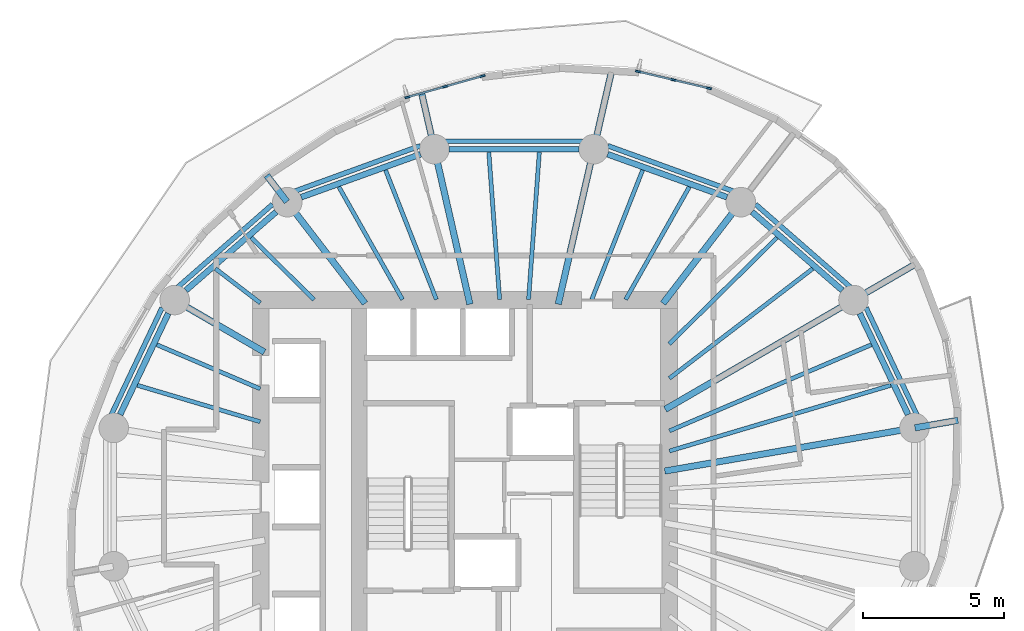
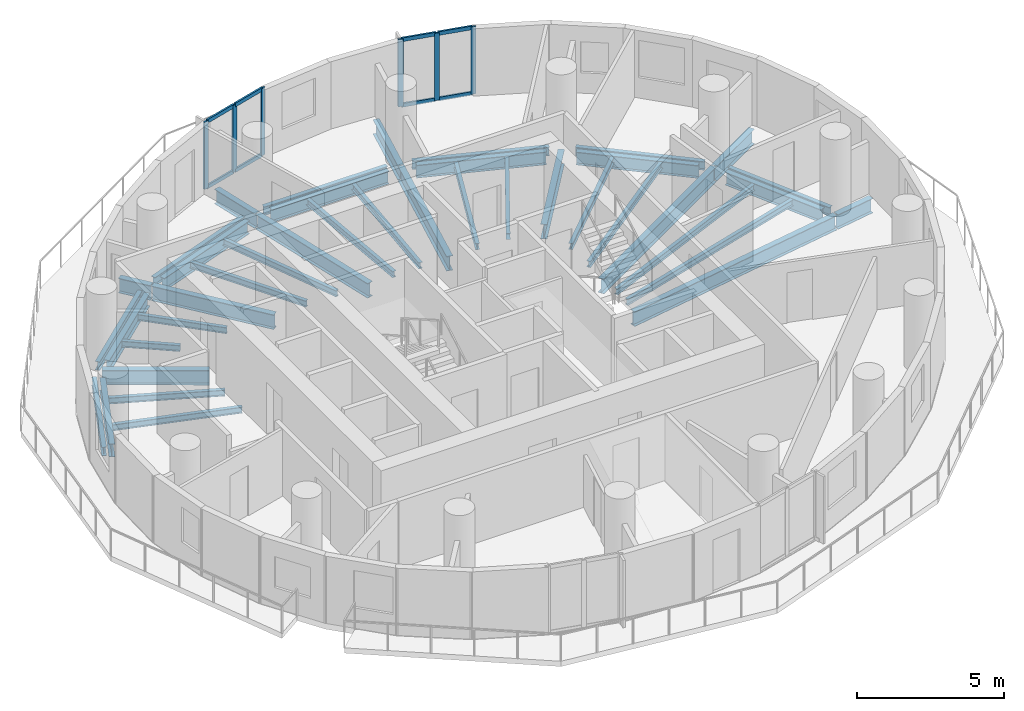
# One storey, part 3 of 13: 40 beams, 14 members, 2 elements without a shape of their own.
"""IFC4 building model written with IfcOpenShell, lengths in metres."""

from ifc_helpers import new_model, si_unit, direction, frame, origin, origin_2d, place, context, subcontext, project, spatial, rectangle, i_section, extrude, material, material_profile, profile_set, type_object, element, aggregate, save


model = new_model("IFC4")

# Units and contexts
model_context = context("Model", 3, precision=1e-05, world=origin(), true_north=direction((0.0, 1.0)))
body_context = subcontext(model_context, "Body", "Model", "MODEL_VIEW")
ifc_project = project(units=[si_unit("LENGTHUNIT", "METRE"), si_unit("AREAUNIT", "SQUARE_METRE"), si_unit("VOLUMEUNIT", "CUBIC_METRE"), si_unit("PLANEANGLEUNIT", "RADIAN"), si_unit("MASSUNIT", "GRAM", prefix="KILO")], contexts=[model_context])

# Site, building, storey
site_placement = place(None, origin())
site = spatial("IfcSite", under=ifc_project, at=site_placement, CompositionType="ELEMENT")
building_placement = place(site_placement, origin())
building = spatial("IfcBuilding", under=site, at=building_placement, Name="Veldorim Arch Residences", CompositionType="ELEMENT")
storey_placement = place(building_placement, frame((0.0, 0.0, 155.360107421875)))
storey = spatial("IfcBuildingStorey", under=building, at=storey_placement, Name="L46", CompositionType="ELEMENT", Elevation=155.360107421875)

# Beams
ifc_material_1 = material(Name="Steel S355", Category="steel")
ifc_material_profile_1 = material_profile(ifc_material_1, i_section(OverallWidth=0.2099609375, OverallDepth=0.53662109375, WebThickness=0.0107421875, FlangeThickness=0.017333984375, at=origin_2d()), Name="UB533x210x101")
ifc_profile_set_1 = profile_set([ifc_material_profile_1], Name="Steel S355")
beam_type_1 = type_object("IfcBeamType", Name="Structural Steel Beam UB533x210x101", PredefinedType="BEAM", material=ifc_profile_set_1)
beam_1_placement = place(storey_placement, frame((45.99560546875, 26.931884765625, -0.50830078125), z_axis=(-0.43028577851, 0.902692721147, 0.0), x_axis=(-0.902692721147, -0.43028577851, 0.0)))
element("IfcBeam", 1, at=beam_1_placement, inside=storey, type_object=beam_type_1, Name="L46 perimeter ring tie beam 01", PredefinedType="BEAM", context=body_context, shape_type="SweptSolid", body=[
    extrude(i_section(OverallWidth=0.2099609375, OverallDepth=0.53662109375, WebThickness=0.0107421875, FlangeThickness=0.017333984375, at=origin_2d()), origin(), (0.0, 0.0, 1.0), 3.98193359375),
])
beam_2_placement = place(storey_placement, frame((43.659912109375, 31.344482421875, -0.50830078125), z_axis=(-0.754810789581, 0.655942582802, 0.0), x_axis=(-0.655942582802, -0.754810789581, 0.0)))
element("IfcBeam", 2, at=beam_2_placement, inside=storey, type_object=beam_type_1, Name="L46 perimeter ring tie beam 02", PredefinedType="BEAM", context=body_context, shape_type="SweptSolid", body=[
    extrude(i_section(OverallWidth=0.2099609375, OverallDepth=0.53662109375, WebThickness=0.0107421875, FlangeThickness=0.017333984375, at=origin_2d()), origin(), (0.0, 0.0, 1.0), 4.249755859375),
])
beam_3_placement = place(storey_placement, frame((39.561767578125, 34.654296875, -0.50830078125), z_axis=(-0.940899155006, 0.338686846673, 0.0), x_axis=(-0.338686846673, -0.940899155006, 0.0)))
element("IfcBeam", 3, at=beam_3_placement, inside=storey, type_object=beam_type_1, Name="L46 perimeter ring tie beam 03", PredefinedType="BEAM", context=body_context, shape_type="SweptSolid", body=[
    extrude(i_section(OverallWidth=0.2099609375, OverallDepth=0.53662109375, WebThickness=0.0107421875, FlangeThickness=0.017333984375, at=origin_2d()), origin(), (0.0, 0.0, 1.0), 4.50537109375),
])
beam_4_placement = place(storey_placement, frame((34.3037109375, 36.35791015625, -0.50830078125), z_axis=(-1.0, 0.0, 0.0), x_axis=(0.0, -1.0, 0.0)))
element("IfcBeam", 4, at=beam_4_placement, inside=storey, type_object=beam_type_1, Name="L46 perimeter ring tie beam 04", PredefinedType="BEAM", context=body_context, shape_type="SweptSolid", body=[
    extrude(i_section(OverallWidth=0.2099609375, OverallDepth=0.53662109375, WebThickness=0.0107421875, FlangeThickness=0.017333984375, at=origin_2d()), origin(), (0.0, 0.0, 1.0), 4.607421875),
])
beam_5_placement = place(storey_placement, frame((28.67724609375, 36.18017578125, -0.50830078125), z_axis=(-0.940899155006, -0.338686846673, 0.0), x_axis=(0.338686846673, -0.940899155006, 0.0)))
element("IfcBeam", 5, at=beam_5_placement, inside=storey, type_object=beam_type_1, Name="L46 perimeter ring tie beam 05", PredefinedType="BEAM", context=body_context, shape_type="SweptSolid", body=[
    extrude(i_section(OverallWidth=0.2099609375, OverallDepth=0.53662109375, WebThickness=0.0107421875, FlangeThickness=0.017333984375, at=origin_2d()), origin(), (0.0, 0.0, 1.0), 4.50537109375),
])
beam_6_placement = place(storey_placement, frame((23.5478515625, 34.132080078125, -0.50830078125), z_axis=(-0.754810789581, -0.655942582802, 0.0), x_axis=(0.655942582802, -0.754810789581, 0.0)))
element("IfcBeam", 6, at=beam_6_placement, inside=storey, type_object=beam_type_1, Name="L46 perimeter ring tie beam 06", PredefinedType="BEAM", context=body_context, shape_type="SweptSolid", body=[
    extrude(i_section(OverallWidth=0.2099609375, OverallDepth=0.53662109375, WebThickness=0.0107421875, FlangeThickness=0.017333984375, at=origin_2d()), origin(), (0.0, 0.0, 1.0), 4.249755859375),
])
beam_7_placement = place(storey_placement, frame((19.7177734375, 30.5263671875, -0.50830078125), z_axis=(-0.43028577851, -0.902692721147, 0.0), x_axis=(0.902692721147, -0.43028577851, 0.0)))
element("IfcBeam", 7, at=beam_7_placement, inside=storey, type_object=beam_type_1, Name="L46 perimeter ring tie beam 07", PredefinedType="BEAM", context=body_context, shape_type="SweptSolid", body=[
    extrude(i_section(OverallWidth=0.2099609375, OverallDepth=0.53662109375, WebThickness=0.0107421875, FlangeThickness=0.017333984375, at=origin_2d()), origin(), (0.0, 0.0, 1.0), 3.98193359375),
])
ifc_material_2 = material(Name="Steel S355", Category="steel")
ifc_material_profile_2 = material_profile(ifc_material_2, i_section(OverallWidth=0.22900390625, OverallDepth=0.6123046875, WebThickness=0.011962890625, FlangeThickness=0.01953125, at=origin_2d()), Name="UB610x229x125")
ifc_profile_set_2 = profile_set([ifc_material_profile_2], Name="Steel S355")
beam_type_2 = type_object("IfcBeamType", Name="Structural Steel Beam UB610x229x125", PredefinedType="BEAM", material=ifc_profile_set_2)
beam_8_placement = place(storey_placement, frame((37.352294921875, 24.925048828125, -0.546142578125), z_axis=(0.985389398766, 0.170316566427, 0.0), x_axis=(-0.170316566427, 0.985389398766, 0.0)))
element("IfcBeam", 8, at=beam_8_placement, inside=storey, type_object=beam_type_2, Name="L46 radial floor girder 01", PredefinedType="BEAM", context=body_context, shape_type="SweptSolid", body=[
    extrude(i_section(OverallWidth=0.22900390625, OverallDepth=0.6123046875, WebThickness=0.011962890625, FlangeThickness=0.01953125, at=origin_2d()), origin(), (0.0, 0.0, 1.0), 8.98046875),
])
beam_9_placement = place(storey_placement, frame((46.2412109375, 26.46142578125, -0.546142578125), z_axis=(0.985381977132, 0.170359499715, 0.0), x_axis=(-0.170359499715, 0.985381977132, 0.0)))
element("IfcBeam", 9, at=beam_9_placement, inside=storey, type_object=beam_type_2, Name="L46 radial edge cantilever girder 01", PredefinedType="BEAM", context=body_context, shape_type="SweptSolid", body=[
    extrude(i_section(OverallWidth=0.22900390625, OverallDepth=0.6123046875, WebThickness=0.011962890625, FlangeThickness=0.01953125, at=origin_2d()), origin(), (0.0, 0.0, 1.0), 1.553466796875),
])
beam_10_placement = place(storey_placement, frame((37.370361328125, 27.1181640625, -0.546142578125), z_axis=(0.864793381443, 0.502127879542, 0.0), x_axis=(-0.502127879542, 0.864793381443, 0.0)))
element("IfcBeam", 10, at=beam_10_placement, inside=storey, type_object=beam_type_2, Name="L46 radial floor girder 02", PredefinedType="BEAM", context=body_context, shape_type="SweptSolid", body=[
    extrude(i_section(OverallWidth=0.22900390625, OverallDepth=0.6123046875, WebThickness=0.011962890625, FlangeThickness=0.01953125, at=origin_2d()), origin(), (0.0, 0.0, 1.0), 7.71142578125),
])
beam_11_placement = place(storey_placement, frame((44.073486328125, 31.01025390625, -0.546142578125), z_axis=(0.86478894661, 0.502135517387, 0.0), x_axis=(-0.502135517387, 0.86478894661, 0.0)))
element("IfcBeam", 11, at=beam_11_placement, inside=storey, type_object=beam_type_2, Name="L46 radial edge cantilever girder 02", PredefinedType="BEAM", context=body_context, shape_type="SweptSolid", body=[
    extrude(i_section(OverallWidth=0.22900390625, OverallDepth=0.6123046875, WebThickness=0.011962890625, FlangeThickness=0.01953125, at=origin_2d()), origin(), (0.0, 0.0, 1.0), 2.564208984375),
])
beam_12_placement = place(storey_placement, frame((37.291259765625, 30.881103515625, -0.546142578125), z_axis=(0.609559199361, 0.792740551804, 0.0), x_axis=(-0.792740551804, 0.609559199361, 0.0)))
element("IfcBeam", 12, at=beam_12_placement, inside=storey, type_object=beam_type_2, Name="L46 radial floor girder 03", PredefinedType="BEAM", context=body_context, shape_type="SweptSolid", body=[
    extrude(i_section(OverallWidth=0.22900390625, OverallDepth=0.6123046875, WebThickness=0.011962890625, FlangeThickness=0.01953125, at=origin_2d()), origin(), (0.0, 0.0, 1.0), 4.515380859375),
])
beam_13_placement = place(storey_placement, frame((33.56884765625, 30.853759765625, -0.546142578125), z_axis=(0.223119342184, 0.974791136164, 0.0), x_axis=(-0.974791136164, 0.223119342184, 0.0)))
element("IfcBeam", 13, at=beam_13_placement, inside=storey, type_object=beam_type_2, Name="L46 radial floor girder 04", PredefinedType="BEAM", context=body_context, shape_type="SweptSolid", body=[
    extrude(i_section(OverallWidth=0.22900390625, OverallDepth=0.6123046875, WebThickness=0.011962890625, FlangeThickness=0.01953125, at=origin_2d()), origin(), (0.0, 0.0, 1.0), 5.62646484375),
])
beam_14_placement = place(storey_placement, frame((34.833251953125, 36.37744140625, -0.546142578125), z_axis=(0.223165160946, 0.974780647602, 0.0), x_axis=(-0.974780647602, 0.223165160946, 0.0)))
element("IfcBeam", 14, at=beam_14_placement, inside=storey, type_object=beam_type_2, Name="L46 radial edge cantilever girder 04", PredefinedType="BEAM", context=body_context, shape_type="SweptSolid", body=[
    extrude(i_section(OverallWidth=0.22900390625, OverallDepth=0.6123046875, WebThickness=0.011962890625, FlangeThickness=0.01953125, at=origin_2d()), origin(), (0.0, 0.0, 1.0), 2.863037109375),
])
beam_15_placement = place(storey_placement, frame((30.43115234375, 30.853759765625, -0.546142578125), z_axis=(-0.223119342184, 0.974791136164, 0.0), x_axis=(-0.974791136164, -0.223119342184, 0.0)))
element("IfcBeam", 15, at=beam_15_placement, inside=storey, type_object=beam_type_2, Name="L46 radial floor girder 05", PredefinedType="BEAM", context=body_context, shape_type="SweptSolid", body=[
    extrude(i_section(OverallWidth=0.22900390625, OverallDepth=0.6123046875, WebThickness=0.011962890625, FlangeThickness=0.01953125, at=origin_2d()), origin(), (0.0, 0.0, 1.0), 5.62646484375),
])
beam_16_placement = place(storey_placement, frame((29.166748046875, 36.37744140625, -0.546142578125), z_axis=(-0.223121447398, 0.9747906543, 0.0), x_axis=(-0.9747906543, -0.223121447398, 0.0)))
element("IfcBeam", 16, at=beam_16_placement, inside=storey, type_object=beam_type_2, Name="L46 radial edge cantilever girder 05", PredefinedType="BEAM", context=body_context, shape_type="SweptSolid", body=[
    extrude(i_section(OverallWidth=0.22900390625, OverallDepth=0.6123046875, WebThickness=0.011962890625, FlangeThickness=0.01953125, at=origin_2d()), origin(), (0.0, 0.0, 1.0), 2.01123046875),
])
beam_17_placement = place(storey_placement, frame((26.708740234375, 30.881103515625, -0.546142578125), z_axis=(-0.609559199361, 0.792740551804, 0.0), x_axis=(-0.792740551804, -0.609559199361, 0.0)))
element("IfcBeam", 17, at=beam_17_placement, inside=storey, type_object=beam_type_2, Name="L46 radial floor girder 06", PredefinedType="BEAM", context=body_context, shape_type="SweptSolid", body=[
    extrude(i_section(OverallWidth=0.22900390625, OverallDepth=0.6123046875, WebThickness=0.011962890625, FlangeThickness=0.01953125, at=origin_2d()), origin(), (0.0, 0.0, 1.0), 4.515380859375),
])
beam_18_placement = place(storey_placement, frame((23.931884765625, 34.492431640625, -0.546142578125), z_axis=(-0.609460700879, 0.792816280158, 0.0), x_axis=(-0.792816280158, -0.609460700879, 0.0)))
element("IfcBeam", 18, at=beam_18_placement, inside=storey, type_object=beam_type_2, Name="L46 radial edge cantilever girder 06", PredefinedType="BEAM", context=body_context, shape_type="SweptSolid", body=[
    extrude(i_section(OverallWidth=0.22900390625, OverallDepth=0.6123046875, WebThickness=0.011962890625, FlangeThickness=0.01953125, at=origin_2d()), origin(), (0.0, 0.0, 1.0), 1.1796875),
])
beam_19_placement = place(storey_placement, frame((23.129638671875, 29.150390625, -0.546142578125), z_axis=(-0.864794546612, 0.502125872815, 0.0), x_axis=(-0.502125872815, -0.864794546612, 0.0)))
element("IfcBeam", 19, at=beam_19_placement, inside=storey, type_object=beam_type_2, Name="L46 radial floor girder 07", PredefinedType="BEAM", context=body_context, shape_type="SweptSolid", body=[
    extrude(i_section(OverallWidth=0.22900390625, OverallDepth=0.6123046875, WebThickness=0.011962890625, FlangeThickness=0.01953125, at=origin_2d()), origin(), (0.0, 0.0, 1.0), 3.6640625),
])
ifc_material_3 = material(Name="Steel S355", Category="steel")
ifc_material_profile_3 = material_profile(ifc_material_3, i_section(OverallWidth=0.146484375, OverallDepth=0.256103515625, WebThickness=0.00634765625, FlangeThickness=0.010986328125, at=origin_2d()), Name="UB254x146x37")
ifc_profile_set_3 = profile_set([ifc_material_profile_3], Name="Steel S355")
beam_type_3 = type_object("IfcBeamType", Name="Structural Steel Joist UB254x146x37", PredefinedType="JOIST", material=ifc_profile_set_3)
beam_20_placement = place(storey_placement, frame((37.519287109375, 25.63818359375, -0.3681640625), z_axis=(0.958674276305, 0.284505943614, 0.0), x_axis=(-0.284505943614, 0.958674276305, 0.0)))
element("IfcBeam", 20, at=beam_20_placement, inside=storey, type_object=beam_type_3, Name="L46 secondary radial floor joist 01-1", PredefinedType="JOIST", context=body_context, shape_type="SweptSolid", body=[
    extrude(i_section(OverallWidth=0.146484375, OverallDepth=0.256103515625, WebThickness=0.00634765625, FlangeThickness=0.010986328125, at=origin_2d()), origin(), (0.0, 0.0, 1.0), 8.2001953125),
])
beam_21_placement = place(storey_placement, frame((37.518310546875, 26.353515625, -0.3681640625), z_axis=(0.919831795434, 0.39231297214, 0.0), x_axis=(-0.39231297214, 0.919831795434, 0.0)))
element("IfcBeam", 21, at=beam_21_placement, inside=storey, type_object=beam_type_3, Name="L46 secondary radial floor joist 01-2", PredefinedType="JOIST", context=body_context, shape_type="SweptSolid", body=[
    extrude(i_section(OverallWidth=0.146484375, OverallDepth=0.256103515625, WebThickness=0.00634765625, FlangeThickness=0.010986328125, at=origin_2d()), origin(), (0.0, 0.0, 1.0), 7.798828125),
])
beam_22_placement = place(storey_placement, frame((37.515869140625, 28.219482421875, -0.3681640625), z_axis=(0.794267053144, 0.607568801281, 0.0), x_axis=(-0.607568801281, 0.794267053144, 0.0)))
element("IfcBeam", 22, at=beam_22_placement, inside=storey, type_object=beam_type_3, Name="L46 secondary radial floor joist 02-1", PredefinedType="JOIST", context=body_context, shape_type="SweptSolid", body=[
    extrude(i_section(OverallWidth=0.146484375, OverallDepth=0.256103515625, WebThickness=0.00634765625, FlangeThickness=0.010986328125, at=origin_2d()), origin(), (0.0, 0.0, 1.0), 6.412841796875),
])
beam_23_placement = place(storey_placement, frame((37.51416015625, 29.443115234375, -0.3681640625), z_axis=(0.711703457158, 0.702480027523, 0.0), x_axis=(-0.702480027523, 0.711703457158, 0.0)))
element("IfcBeam", 23, at=beam_23_placement, inside=storey, type_object=beam_type_3, Name="L46 secondary radial floor joist 02-2", PredefinedType="JOIST", context=body_context, shape_type="SweptSolid", body=[
    extrude(i_section(OverallWidth=0.146484375, OverallDepth=0.256103515625, WebThickness=0.00634765625, FlangeThickness=0.010986328125, at=origin_2d()), origin(), (0.0, 0.0, 1.0), 5.373291015625),
])
beam_24_placement = place(storey_placement, frame((35.96337890625, 31.017333984375, -0.3681640625), z_axis=(0.491815801586, 0.870699269157, 0.0), x_axis=(-0.870699269157, 0.491815801586, 0.0)))
element("IfcBeam", 24, at=beam_24_placement, inside=storey, type_object=beam_type_3, Name="L46 secondary radial floor joist 03-1", PredefinedType="JOIST", context=body_context, shape_type="SweptSolid", body=[
    extrude(i_section(OverallWidth=0.146484375, OverallDepth=0.256103515625, WebThickness=0.00634765625, FlangeThickness=0.010986328125, at=origin_2d()), origin(), (0.0, 0.0, 1.0), 4.59814453125),
])
beam_25_placement = place(storey_placement, frame((34.7587890625, 31.0185546875, -0.3681640625), z_axis=(0.365777738491, 0.930702232739, 0.0), x_axis=(-0.930702232739, 0.365777738491, 0.0)))
element("IfcBeam", 25, at=beam_25_placement, inside=storey, type_object=beam_type_3, Name="L46 secondary radial floor joist 03-2", PredefinedType="JOIST", context=body_context, shape_type="SweptSolid", body=[
    extrude(i_section(OverallWidth=0.146484375, OverallDepth=0.256103515625, WebThickness=0.00634765625, FlangeThickness=0.010986328125, at=origin_2d()), origin(), (0.0, 0.0, 1.0), 4.9404296875),
])
for number, where, z_axis, x_axis, name in (
    (26, (32.51416015625, 31.02001953125, -0.3681640625), (0.073060364166, 0.997327520521, 0.0), (-0.997327520521, 0.073060364166, 0.0), "L46 secondary radial floor joist 04-1"),
    (27, (31.48583984375, 31.02001953125, -0.3681640625), (-0.073060364166, 0.997327520521, 0.0), (-0.997327520521, -0.073060364166, 0.0), "L46 secondary radial floor joist 04-2"),
):
    element("IfcBeam", number, at=place(storey_placement, frame(where, z_axis=z_axis, x_axis=x_axis)), inside=storey, type_object=beam_type_3, Name=name, PredefinedType="JOIST", context=body_context, shape_type="SweptSolid", body=[
        extrude(i_section(OverallWidth=0.146484375, OverallDepth=0.256103515625, WebThickness=0.00634765625, FlangeThickness=0.010986328125, at=origin_2d()), origin(), (0.0, 0.0, 1.0), 5.242919921875),
    ])
beam_26_placement = place(storey_placement, frame((29.2412109375, 31.0185546875, -0.3681640625), z_axis=(-0.365777738491, 0.930702232739, 0.0), x_axis=(-0.930702232739, -0.365777738491, 0.0)))
element("IfcBeam", 28, at=beam_26_placement, inside=storey, type_object=beam_type_3, Name="L46 secondary radial floor joist 05-1", PredefinedType="JOIST", context=body_context, shape_type="SweptSolid", body=[
    extrude(i_section(OverallWidth=0.146484375, OverallDepth=0.256103515625, WebThickness=0.00634765625, FlangeThickness=0.010986328125, at=origin_2d()), origin(), (0.0, 0.0, 1.0), 4.9404296875),
])
beam_27_placement = place(storey_placement, frame((28.03662109375, 31.017333984375, -0.3681640625), z_axis=(-0.491815801586, 0.870699269157, 0.0), x_axis=(-0.870699269157, -0.491815801586, 0.0)))
element("IfcBeam", 29, at=beam_27_placement, inside=storey, type_object=beam_type_3, Name="L46 secondary radial floor joist 05-2", PredefinedType="JOIST", context=body_context, shape_type="SweptSolid", body=[
    extrude(i_section(OverallWidth=0.146484375, OverallDepth=0.256103515625, WebThickness=0.00634765625, FlangeThickness=0.010986328125, at=origin_2d()), origin(), (0.0, 0.0, 1.0), 4.59814453125),
])
beam_28_placement = place(storey_placement, frame((24.894287109375, 31.013916015625, -0.3681640625), z_axis=(-0.711683379532, 0.702500368183, 0.0), x_axis=(-0.702500368183, -0.711683379532, 0.0)))
element("IfcBeam", 30, at=beam_28_placement, inside=storey, type_object=beam_type_3, Name="L46 secondary radial floor joist 06-1", PredefinedType="JOIST", context=body_context, shape_type="SweptSolid", body=[
    extrude(i_section(OverallWidth=0.146484375, OverallDepth=0.256103515625, WebThickness=0.00634765625, FlangeThickness=0.010986328125, at=origin_2d()), origin(), (0.0, 0.0, 1.0), 3.13720703125),
])
beam_29_placement = place(storey_placement, frame((22.984130859375, 30.89697265625, -0.3681640625), z_axis=(-0.794312925337, 0.607508828448, 0.0), x_axis=(-0.607508828448, -0.794312925337, 0.0)))
element("IfcBeam", 31, at=beam_29_placement, inside=storey, type_object=beam_type_3, Name="L46 secondary radial floor joist 06-2", PredefinedType="JOIST", context=body_context, shape_type="SweptSolid", body=[
    extrude(i_section(OverallWidth=0.146484375, OverallDepth=0.256103515625, WebThickness=0.00634765625, FlangeThickness=0.010986328125, at=origin_2d()), origin(), (0.0, 0.0, 1.0), 2.006103515625),
])
beam_30_placement = place(storey_placement, frame((22.981689453125, 27.84619140625, -0.3681640625), z_axis=(-0.919823469329, 0.392332493265, 0.0), x_axis=(-0.392332493265, -0.919823469329, 0.0)))
element("IfcBeam", 32, at=beam_30_placement, inside=storey, type_object=beam_type_3, Name="L46 secondary radial floor joist 07-1", PredefinedType="JOIST", context=body_context, shape_type="SweptSolid", body=[
    extrude(i_section(OverallWidth=0.146484375, OverallDepth=0.256103515625, WebThickness=0.00634765625, FlangeThickness=0.010986328125, at=origin_2d()), origin(), (0.0, 0.0, 1.0), 3.993896484375),
])
beam_31_placement = place(storey_placement, frame((22.980712890625, 26.677001953125, -0.3681640625), z_axis=(-0.95868163277, 0.284481154014, 0.0), x_axis=(-0.284481154014, -0.95868163277, 0.0)))
element("IfcBeam", 33, at=beam_31_placement, inside=storey, type_object=beam_type_3, Name="L46 secondary radial floor joist 07-2", PredefinedType="JOIST", context=body_context, shape_type="SweptSolid", body=[
    extrude(i_section(OverallWidth=0.146484375, OverallDepth=0.256103515625, WebThickness=0.00634765625, FlangeThickness=0.010986328125, at=origin_2d()), origin(), (0.0, 0.0, 1.0), 4.54931640625),
])
ifc_material_4 = material(Name="Steel S355", Category="steel")
ifc_material_profile_4 = material_profile(ifc_material_4, i_section(OverallWidth=0.172119140625, OverallDepth=0.35791015625, WebThickness=0.008056640625, FlangeThickness=0.012939453125, at=origin_2d()), Name="UB356x171x57")
ifc_profile_set_4 = profile_set([ifc_material_profile_4], Name="Steel S355")
beam_type_4 = type_object("IfcBeamType", Name="Structural Steel Spandrel UB356x171x57", PredefinedType="SPANDREL", material=ifc_profile_set_4)
beam_32_placement = place(storey_placement, frame((46.307861328125, 26.9248046875, -0.439208984375), z_axis=(-0.428579957662, 0.903503857153, 0.0), x_axis=(-0.903503857153, -0.428579957662, 0.0)))
element("IfcBeam", 34, at=beam_32_placement, inside=storey, type_object=beam_type_4, Name="L46 perimeter chord spandrel beam 01", PredefinedType="SPANDREL", context=body_context, shape_type="SweptSolid", body=[
    extrude(i_section(OverallWidth=0.172119140625, OverallDepth=0.35791015625, WebThickness=0.008056640625, FlangeThickness=0.012939453125, at=origin_2d()), origin(), (0.0, 0.0, 1.0), 4.209228515625),
])
beam_33_placement = place(storey_placement, frame((43.9580078125, 31.44921875, -0.439208984375), z_axis=(-0.753014748982, 0.658003638148, 0.0), x_axis=(-0.658003638148, -0.753014748982, 0.0)))
element("IfcBeam", 35, at=beam_33_placement, inside=storey, type_object=beam_type_4, Name="L46 perimeter chord spandrel beam 02", PredefinedType="SPANDREL", context=body_context, shape_type="SweptSolid", body=[
    extrude(i_section(OverallWidth=0.172119140625, OverallDepth=0.35791015625, WebThickness=0.008056640625, FlangeThickness=0.012939453125, at=origin_2d()), origin(), (0.0, 0.0, 1.0), 4.486572265625),
])
beam_34_placement = place(storey_placement, frame((39.79736328125, 34.86279296875, -0.439208984375), z_axis=(-0.940212553113, 0.340588248429, 0.0), x_axis=(-0.340588248429, -0.940212553113, 0.0)))
element("IfcBeam", 36, at=beam_34_placement, inside=storey, type_object=beam_type_4, Name="L46 perimeter chord spandrel beam 03", PredefinedType="SPANDREL", context=body_context, shape_type="SweptSolid", body=[
    extrude(i_section(OverallWidth=0.172119140625, OverallDepth=0.35791015625, WebThickness=0.008056640625, FlangeThickness=0.012939453125, at=origin_2d()), origin(), (0.0, 0.0, 1.0), 4.75390625),
])
beam_35_placement = place(storey_placement, frame((34.43115234375, 36.639404296875, -0.439208984375), z_axis=(-1.0, 0.0, 0.0), x_axis=(0.0, -1.0, 0.0)))
element("IfcBeam", 37, at=beam_35_placement, inside=storey, type_object=beam_type_4, Name="L46 perimeter chord spandrel beam 04", PredefinedType="SPANDREL", context=body_context, shape_type="SweptSolid", body=[
    extrude(i_section(OverallWidth=0.172119140625, OverallDepth=0.35791015625, WebThickness=0.008056640625, FlangeThickness=0.012939453125, at=origin_2d()), origin(), (0.0, 0.0, 1.0), 4.8623046875),
])
beam_36_placement = place(storey_placement, frame((28.67236328125, 36.48193359375, -0.439208984375), z_axis=(-0.940212553113, -0.340588248429, 0.0), x_axis=(0.340588248429, -0.940212553113, 0.0)))
element("IfcBeam", 38, at=beam_36_placement, inside=storey, type_object=beam_type_4, Name="L46 perimeter chord spandrel beam 05", PredefinedType="SPANDREL", context=body_context, shape_type="SweptSolid", body=[
    extrude(i_section(OverallWidth=0.172119140625, OverallDepth=0.35791015625, WebThickness=0.008056640625, FlangeThickness=0.012939453125, at=origin_2d()), origin(), (0.0, 0.0, 1.0), 4.75390625),
])
beam_37_placement = place(storey_placement, frame((23.42041015625, 34.4013671875, -0.439208984375), z_axis=(-0.753014748982, -0.658003638148, 0.0), x_axis=(0.658003638148, -0.753014748982, 0.0)))
element("IfcBeam", 39, at=beam_37_placement, inside=storey, type_object=beam_type_4, Name="L46 perimeter chord spandrel beam 06", PredefinedType="SPANDREL", context=body_context, shape_type="SweptSolid", body=[
    extrude(i_section(OverallWidth=0.172119140625, OverallDepth=0.35791015625, WebThickness=0.008056640625, FlangeThickness=0.012939453125, at=origin_2d()), origin(), (0.0, 0.0, 1.0), 4.486572265625),
])
beam_38_placement = place(storey_placement, frame((19.49609375, 30.727783203125, -0.439208984375), z_axis=(-0.428579957662, -0.903503857153, 0.0), x_axis=(0.903503857153, -0.428579957662, 0.0)))
element("IfcBeam", 40, at=beam_38_placement, inside=storey, type_object=beam_type_4, Name="L46 perimeter chord spandrel beam 07", PredefinedType="SPANDREL", context=body_context, shape_type="SweptSolid", body=[
    extrude(i_section(OverallWidth=0.172119140625, OverallDepth=0.35791015625, WebThickness=0.008056640625, FlangeThickness=0.012939453125, at=origin_2d()), origin(), (0.0, 0.0, 1.0), 4.209228515625),
])

# Curtain wall, members
ifc_material_5 = material(Name="Aluminium", Category="aluminium")
curtain_wall_type = type_object("IfcCurtainWallType", Name="Zone 3 High-Wind Unitised Curtain Wall", PredefinedType="NOTDEFINED", material=ifc_material_5)
curtain_wall_1_placement = place(storey_placement, origin())
curtain_wall_1 = element("IfcCurtainWall", 41, at=curtain_wall_1_placement, inside=storey, type_object=curtain_wall_type, Name="L46 unitised curtain wall bay 04", PredefinedType="NOTDEFINED")
ifc_material_6 = material(Name="Aluminium", Category="aluminium")
ifc_material_profile_5 = material_profile(ifc_material_6, rectangle(XDim=0.070068359375, YDim=0.179931640625, at=origin_2d()), Name="ALU_MUL_70x180")
ifc_profile_set_5 = profile_set([ifc_material_profile_5], Name="Aluminium")
member_type_1 = type_object("IfcMemberType", Name="Zone 3 High-Wind Unitised Curtain Wall Mullion 70x180", PredefinedType="MULLION", material=ifc_profile_set_5)
member_1_placement = place(storey_placement, frame((36.4013671875, 39.119873046875, 0.0), z_axis=(0.0, 0.0, 1.0), x_axis=(0.230956858022, 0.972963992002, 0.0)))
member_1 = element("IfcMember", 42, at=member_1_placement, type_object=member_type_1, Name="CW-Z3 mullion 1", PredefinedType="MULLION", context=body_context, shape_type="SweptSolid", body=[
    extrude(rectangle(XDim=0.070068359375, YDim=0.179931640625, at=origin_2d()), origin(), (0.0, 0.0, 1.0), 2.7998046875),
])
member_2_placement = place(storey_placement, frame((37.662109375, 38.820556640625, 0.0), z_axis=(0.0, 0.0, 1.0), x_axis=(0.230956858022, 0.972963992002, 0.0)))
member_2 = element("IfcMember", 43, at=member_2_placement, type_object=member_type_1, Name="CW-Z3 mullion 2", PredefinedType="MULLION", context=body_context, shape_type="SweptSolid", body=[
    extrude(rectangle(XDim=0.070068359375, YDim=0.179931640625, at=origin_2d()), origin(), (0.0, 0.0, 1.0), 2.7998046875),
])
member_3_placement = place(storey_placement, frame((38.923095703125, 38.521240234375, 0.0), z_axis=(0.0, 0.0, 1.0), x_axis=(0.230956858022, 0.972963992002, 0.0)))
member_3 = element("IfcMember", 44, at=member_3_placement, type_object=member_type_1, Name="CW-Z3 mullion 3", PredefinedType="MULLION", context=body_context, shape_type="SweptSolid", body=[
    extrude(rectangle(XDim=0.070068359375, YDim=0.179931640625, at=origin_2d()), origin(), (0.0, 0.0, 1.0), 2.7998046875),
])

curtain_wall_2_placement = place(storey_placement, origin())
curtain_wall_2 = element("IfcCurtainWall", 45, at=curtain_wall_2_placement, inside=storey, type_object=curtain_wall_type, Name="L46 unitised curtain wall bay 07", PredefinedType="NOTDEFINED")
member_4_placement = place(storey_placement, frame((28.20849609375, 38.204833984375, 0.0), z_axis=(0.0, 0.0, 1.0), x_axis=(-0.271100567037, 0.962551028545, 0.0)))
member_4 = element("IfcMember", 46, at=member_4_placement, type_object=member_type_1, Name="CW-Z3 mullion 1", PredefinedType="MULLION", context=body_context, shape_type="SweptSolid", body=[
    extrude(rectangle(XDim=0.070068359375, YDim=0.179931640625, at=origin_2d()), origin(), (0.0, 0.0, 1.0), 2.7998046875),
])
member_5_placement = place(storey_placement, frame((29.544921875, 38.581298828125, 0.0), z_axis=(0.0, 0.0, 1.0), x_axis=(-0.271100567037, 0.962551028545, 0.0)))
member_5 = element("IfcMember", 47, at=member_5_placement, type_object=member_type_1, Name="CW-Z3 mullion 2", PredefinedType="MULLION", context=body_context, shape_type="SweptSolid", body=[
    extrude(rectangle(XDim=0.070068359375, YDim=0.179931640625, at=origin_2d()), origin(), (0.0, 0.0, 1.0), 2.7998046875),
])
member_6_placement = place(storey_placement, frame((30.88134765625, 38.95751953125, 0.0), z_axis=(0.0, 0.0, 1.0), x_axis=(-0.271100567037, 0.962551028545, 0.0)))
member_6 = element("IfcMember", 48, at=member_6_placement, type_object=member_type_1, Name="CW-Z3 mullion 3", PredefinedType="MULLION", context=body_context, shape_type="SweptSolid", body=[
    extrude(rectangle(XDim=0.070068359375, YDim=0.179931640625, at=origin_2d()), origin(), (0.0, 0.0, 1.0), 2.7998046875),
])

# Member
ifc_material_7 = material(Name="Aluminium", Category="aluminium")
ifc_material_profile_6 = material_profile(ifc_material_7, rectangle(XDim=0.070068359375, YDim=0.155029296875, at=origin_2d()), Name="ALU_TRN_70x155")
ifc_profile_set_6 = profile_set([ifc_material_profile_6], Name="Aluminium")
member_type_2 = type_object("IfcMemberType", Name="Zone 3 High-Wind Unitised Curtain Wall Transom 70x155", PredefinedType="USERDEFINED", material=ifc_profile_set_6)
member_7_placement = place(storey_placement, frame((36.435302734375, 39.11181640625, 0.034912109375), z_axis=(0.972955574019, -0.230992318023, 0.0), x_axis=(0.230992318023, 0.972955574019, 0.0)))
member_7 = element("IfcMember", 49, at=member_7_placement, type_object=member_type_2, Name="CW-Z3 transom 1.1", ObjectType="TRANSOM", PredefinedType="USERDEFINED", context=body_context, shape_type="SweptSolid", body=[
    extrude(rectangle(XDim=0.070068359375, YDim=0.155029296875, at=origin_2d()), origin(), (0.0, 0.0, 1.0), 1.22607421875),
])

member_8_placement = place(storey_placement, frame((36.435302734375, 39.11181640625, 2.764892578125), z_axis=(0.972955574019, -0.230992318023, 0.0), x_axis=(0.230992318023, 0.972955574019, 0.0)))
member_8 = element("IfcMember", 50, at=member_8_placement, type_object=member_type_2, Name="CW-Z3 transom 1.2", ObjectType="TRANSOM", PredefinedType="USERDEFINED", context=body_context, shape_type="SweptSolid", body=[
    extrude(rectangle(XDim=0.070068359375, YDim=0.155029296875, at=origin_2d()), origin(), (0.0, 0.0, 1.0), 1.22607421875),
])

member_9_placement = place(storey_placement, frame((37.6962890625, 38.8125, 0.034912109375), z_axis=(0.972955574019, -0.230992318023, 0.0), x_axis=(0.230992318023, 0.972955574019, 0.0)))
member_9 = element("IfcMember", 51, at=member_9_placement, type_object=member_type_2, Name="CW-Z3 transom 2.1", ObjectType="TRANSOM", PredefinedType="USERDEFINED", context=body_context, shape_type="SweptSolid", body=[
    extrude(rectangle(XDim=0.070068359375, YDim=0.155029296875, at=origin_2d()), origin(), (0.0, 0.0, 1.0), 1.22607421875),
])

member_10_placement = place(storey_placement, frame((37.6962890625, 38.8125, 2.764892578125), z_axis=(0.972955574019, -0.230992318023, 0.0), x_axis=(0.230992318023, 0.972955574019, 0.0)))
member_10 = element("IfcMember", 52, at=member_10_placement, type_object=member_type_2, Name="CW-Z3 transom 2.2", ObjectType="TRANSOM", PredefinedType="USERDEFINED", context=body_context, shape_type="SweptSolid", body=[
    extrude(rectangle(XDim=0.070068359375, YDim=0.155029296875, at=origin_2d()), origin(), (0.0, 0.0, 1.0), 1.22607421875),
])

aggregate(curtain_wall_1, [member_1, member_2, member_3, member_7, member_8, member_9, member_10])

member_11_placement = place(storey_placement, frame((28.2421875, 38.21435546875, 0.034912109375), z_axis=(0.962551331846, 0.271099490154, 0.0), x_axis=(-0.271099490154, 0.962551331846, 0.0)))
member_11 = element("IfcMember", 53, at=member_11_placement, type_object=member_type_2, Name="CW-Z3 transom 1.1", ObjectType="TRANSOM", PredefinedType="USERDEFINED", context=body_context, shape_type="SweptSolid", body=[
    extrude(rectangle(XDim=0.070068359375, YDim=0.155029296875, at=origin_2d()), origin(), (0.0, 0.0, 1.0), 1.318359375),
])

member_12_placement = place(storey_placement, frame((28.2421875, 38.21435546875, 2.764892578125), z_axis=(0.962551331846, 0.271099490154, 0.0), x_axis=(-0.271099490154, 0.962551331846, 0.0)))
member_12 = element("IfcMember", 54, at=member_12_placement, type_object=member_type_2, Name="CW-Z3 transom 1.2", ObjectType="TRANSOM", PredefinedType="USERDEFINED", context=body_context, shape_type="SweptSolid", body=[
    extrude(rectangle(XDim=0.070068359375, YDim=0.155029296875, at=origin_2d()), origin(), (0.0, 0.0, 1.0), 1.318359375),
])

member_13_placement = place(storey_placement, frame((29.57861328125, 38.590576171875, 0.034912109375), z_axis=(0.962502997504, 0.271271044891, 0.0), x_axis=(-0.271271044891, 0.962502997504, 0.0)))
member_13 = element("IfcMember", 55, at=member_13_placement, type_object=member_type_2, Name="CW-Z3 transom 2.1", ObjectType="TRANSOM", PredefinedType="USERDEFINED", context=body_context, shape_type="SweptSolid", body=[
    extrude(rectangle(XDim=0.070068359375, YDim=0.155029296875, at=origin_2d()), origin(), (0.0, 0.0, 1.0), 1.318603515625),
])

member_14_placement = place(storey_placement, frame((29.57861328125, 38.590576171875, 2.764892578125), z_axis=(0.962502997504, 0.271271044891, 0.0), x_axis=(-0.271271044891, 0.962502997504, 0.0)))
member_14 = element("IfcMember", 56, at=member_14_placement, type_object=member_type_2, Name="CW-Z3 transom 2.2", ObjectType="TRANSOM", PredefinedType="USERDEFINED", context=body_context, shape_type="SweptSolid", body=[
    extrude(rectangle(XDim=0.070068359375, YDim=0.155029296875, at=origin_2d()), origin(), (0.0, 0.0, 1.0), 1.318603515625),
])

aggregate(curtain_wall_2, [member_4, member_5, member_6, member_11, member_12, member_13, member_14])

save(model, "model.ifc")
